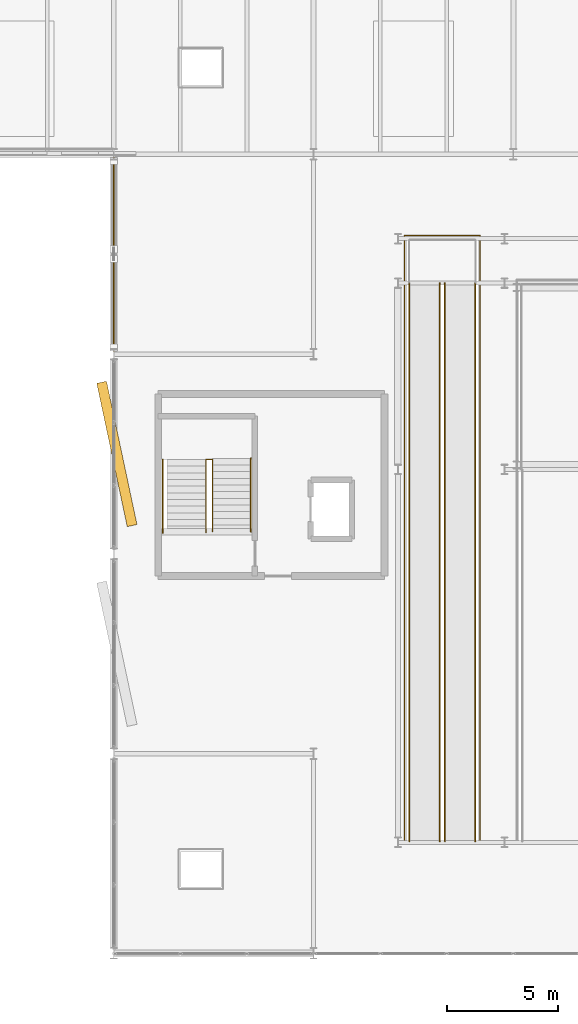
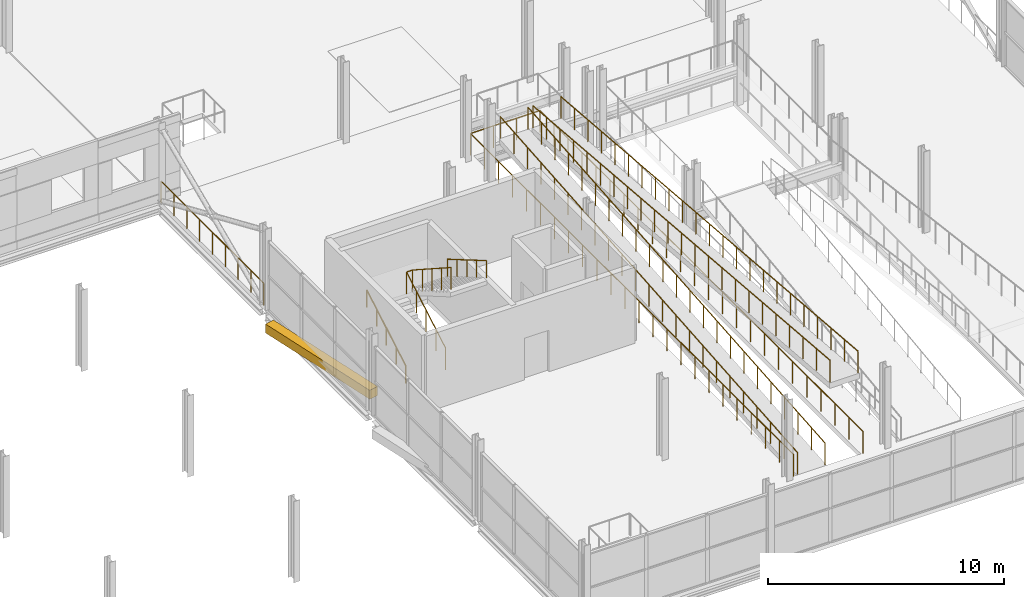
# One storey, part 124 of 132: 9 railings, 1 shading device.
"""IFC4 building model written with IfcOpenShell, lengths in metres."""

from ifc_helpers import new_model, si_unit, direction, frame, origin, origin_2d, place, context, subcontext, project, spatial, rectangle, circle, extrude, material, layer, layer_set, type_object, element, save


model = new_model("IFC4")

# Units and contexts
model_context = context("Model", 3, precision=1e-05, world=origin(), true_north=direction((0.0, 1.0)))
body_context = subcontext(model_context, "Body", "Model", "MODEL_VIEW")
ifc_project = project(units=[si_unit("LENGTHUNIT", "METRE"), si_unit("AREAUNIT", "SQUARE_METRE"), si_unit("VOLUMEUNIT", "CUBIC_METRE"), si_unit("PLANEANGLEUNIT", "RADIAN"), si_unit("MASSUNIT", "GRAM", prefix="KILO")], contexts=[model_context])

# Site, building, storey
site_placement = place(None, origin())
site = spatial("IfcSite", under=ifc_project, at=site_placement, CompositionType="ELEMENT")
building_placement = place(site_placement, origin())
building = spatial("IfcBuilding", under=site, at=building_placement, Name="Deido Ridge Mobility Hub", CompositionType="ELEMENT")
storey_placement = place(building_placement, frame((0.0, 0.0, 8.39990234375)))
storey = spatial("IfcBuildingStorey", under=building, at=storey_placement, Name="L02", CompositionType="ELEMENT", Elevation=8.39990234375)

# Railings
ifc_material_1 = material(Name="Galvanised steel work", Category="steel")
railing_type_1 = type_object("IfcRailingType", Name="RL-GRD-EXT-1150", PredefinedType="GUARDRAIL", material=ifc_material_1)
railing_1_placement = place(storey_placement, frame((72.0, 72.14990234375, 0.0)))
element("IfcRailing", 1, at=railing_1_placement, inside=storey, type_object=railing_type_1, Name="Braced bay perimeter guard (L02)", PredefinedType="GUARDRAIL", context=body_context, shape_type="SweptSolid", body=[
    extrude(circle(Radius=0.02392578125, at=origin_2d()), frame((0.0, 0.0, 1.1259765625), z_axis=(0.0, 1.0, 0.0), x_axis=(-1.0, 0.0, 0.0)), (0.0, 0.0, 1.0), 8.7001953125),
    extrude(circle(Radius=0.02099609375, at=origin_2d()), origin(), (0.0, 0.0, 1.0), 1.101806640625),
    extrude(circle(Radius=0.02099609375, at=origin_2d()), frame((0.0, 1.08740234375, 0.0)), (0.0, 0.0, 1.0), 1.101806640625),
    extrude(circle(Radius=0.02099609375, at=origin_2d()), frame((0.0, 2.175048828125, 0.0)), (0.0, 0.0, 1.0), 1.101806640625),
    extrude(circle(Radius=0.02099609375, at=origin_2d()), frame((0.0, 3.2626953125, 0.0)), (0.0, 0.0, 1.0), 1.101806640625),
    extrude(circle(Radius=0.02099609375, at=origin_2d()), frame((0.0, 4.35009765625, 0.0)), (0.0, 0.0, 1.0), 1.101806640625),
    extrude(circle(Radius=0.02099609375, at=origin_2d()), frame((0.0, 5.4375, 0.0)), (0.0, 0.0, 1.0), 1.101806640625),
    extrude(circle(Radius=0.02099609375, at=origin_2d()), frame((0.0, 6.525146484375, 0.0)), (0.0, 0.0, 1.0), 1.101806640625),
    extrude(circle(Radius=0.02099609375, at=origin_2d()), frame((0.0, 7.61279296875, 0.0)), (0.0, 0.0, 1.0), 1.101806640625),
    extrude(circle(Radius=0.02099609375, at=origin_2d()), frame((0.0, 8.7001953125, 0.0)), (0.0, 0.0, 1.0), 1.101806640625),
])
railing_2_placement = place(storey_placement, frame((85.10009765625, 50.0, 0.0)))
element("IfcRailing", 2, at=railing_2_placement, inside=storey, type_object=railing_type_1, Name="Cycle ramp well guard (L02)", PredefinedType="GUARDRAIL", context=body_context, shape_type="SweptSolid", body=[
    extrude(circle(Radius=0.02392578125, at=origin_2d()), frame((0.0, 0.0, 1.1259765625), z_axis=(0.0, 1.0, 0.0), x_axis=(-1.0, 0.0, 0.0)), (0.0, 0.0, 1.0), 27.35009765625),
    extrude(circle(Radius=0.02392578125, at=origin_2d()), frame((0.0, 27.35009765625, 1.1259765625), z_axis=(1.0, 0.0, 0.0), x_axis=(0.0, 1.0, 0.0)), (0.0, 0.0, 1.0), 3.39990234375),
    extrude(circle(Radius=0.02392578125, at=origin_2d()), frame((3.39990234375, 27.35009765625, 1.1259765625), z_axis=(0.0, -1.0, 0.0), x_axis=(1.0, 0.0, 0.0)), (0.0, 0.0, 1.0), 27.35009765625),
    extrude(circle(Radius=0.02099609375, at=origin_2d()), origin(), (0.0, 0.0, 1.0), 1.101806640625),
    extrude(circle(Radius=0.02099609375, at=origin_2d()), frame((0.0, 1.189208984375, 0.0)), (0.0, 0.0, 1.0), 1.101806640625),
    extrude(circle(Radius=0.02099609375, at=origin_2d()), frame((0.0, 2.378173828125, 0.0)), (0.0, 0.0, 1.0), 1.101806640625),
    extrude(circle(Radius=0.02099609375, at=origin_2d()), frame((0.0, 3.5673828125, 0.0)), (0.0, 0.0, 1.0), 1.101806640625),
    extrude(circle(Radius=0.02099609375, at=origin_2d()), frame((0.0, 4.756591796875, 0.0)), (0.0, 0.0, 1.0), 1.101806640625),
    extrude(circle(Radius=0.02099609375, at=origin_2d()), frame((0.0, 5.945556640625, 0.0)), (0.0, 0.0, 1.0), 1.101806640625),
    extrude(circle(Radius=0.02099609375, at=origin_2d()), frame((0.0, 7.134765625, 0.0)), (0.0, 0.0, 1.0), 1.101806640625),
    extrude(circle(Radius=0.02099609375, at=origin_2d()), frame((0.0, 8.323974609375, 0.0)), (0.0, 0.0, 1.0), 1.101806640625),
    extrude(circle(Radius=0.02099609375, at=origin_2d()), frame((0.0, 9.51318359375, 0.0)), (0.0, 0.0, 1.0), 1.101806640625),
    extrude(circle(Radius=0.02099609375, at=origin_2d()), frame((0.0, 10.7021484375, 0.0)), (0.0, 0.0, 1.0), 1.101806640625),
    extrude(circle(Radius=0.02099609375, at=origin_2d()), frame((0.0, 11.891357421875, 0.0)), (0.0, 0.0, 1.0), 1.101806640625),
    extrude(circle(Radius=0.02099609375, at=origin_2d()), frame((0.0, 13.08056640625, 0.0)), (0.0, 0.0, 1.0), 1.101806640625),
    extrude(circle(Radius=0.02099609375, at=origin_2d()), frame((0.0, 14.26953125, 0.0)), (0.0, 0.0, 1.0), 1.101806640625),
    extrude(circle(Radius=0.02099609375, at=origin_2d()), frame((0.0, 15.458740234375, 0.0)), (0.0, 0.0, 1.0), 1.101806640625),
    extrude(circle(Radius=0.02099609375, at=origin_2d()), frame((0.0, 16.64794921875, 0.0)), (0.0, 0.0, 1.0), 1.101806640625),
    extrude(circle(Radius=0.02099609375, at=origin_2d()), frame((0.0, 17.8369140625, 0.0)), (0.0, 0.0, 1.0), 1.101806640625),
    extrude(circle(Radius=0.02099609375, at=origin_2d()), frame((0.0, 19.026123046875, 0.0)), (0.0, 0.0, 1.0), 1.101806640625),
    extrude(circle(Radius=0.02099609375, at=origin_2d()), frame((0.0, 20.21533203125, 0.0)), (0.0, 0.0, 1.0), 1.101806640625),
    extrude(circle(Radius=0.02099609375, at=origin_2d()), frame((0.0, 21.404541015625, 0.0)), (0.0, 0.0, 1.0), 1.101806640625),
    extrude(circle(Radius=0.02099609375, at=origin_2d()), frame((0.0, 22.593505859375, 0.0)), (0.0, 0.0, 1.0), 1.101806640625),
    extrude(circle(Radius=0.02099609375, at=origin_2d()), frame((0.0, 23.78271484375, 0.0)), (0.0, 0.0, 1.0), 1.101806640625),
    extrude(circle(Radius=0.02099609375, at=origin_2d()), frame((0.0, 24.971923828125, 0.0)), (0.0, 0.0, 1.0), 1.101806640625),
    extrude(circle(Radius=0.02099609375, at=origin_2d()), frame((0.0, 26.160888671875, 0.0)), (0.0, 0.0, 1.0), 1.101806640625),
    extrude(circle(Radius=0.02099609375, at=origin_2d()), frame((0.0, 27.35009765625, 0.0)), (0.0, 0.0, 1.0), 1.101806640625),
    extrude(circle(Radius=0.02099609375, at=origin_2d()), frame((1.13330078125, 27.35009765625, 0.0)), (0.0, 0.0, 1.0), 1.101806640625),
    extrude(circle(Radius=0.02099609375, at=origin_2d()), frame((2.2666015625, 27.35009765625, 0.0)), (0.0, 0.0, 1.0), 1.101806640625),
    extrude(circle(Radius=0.02099609375, at=origin_2d()), frame((3.39990234375, 27.35009765625, 0.0)), (0.0, 0.0, 1.0), 1.101806640625),
    extrude(circle(Radius=0.02099609375, at=origin_2d()), frame((3.39990234375, 26.160888671875, 0.0)), (0.0, 0.0, 1.0), 1.101806640625),
    extrude(circle(Radius=0.02099609375, at=origin_2d()), frame((3.39990234375, 24.971923828125, 0.0)), (0.0, 0.0, 1.0), 1.101806640625),
    extrude(circle(Radius=0.02099609375, at=origin_2d()), frame((3.39990234375, 23.78271484375, 0.0)), (0.0, 0.0, 1.0), 1.101806640625),
    extrude(circle(Radius=0.02099609375, at=origin_2d()), frame((3.39990234375, 22.593505859375, 0.0)), (0.0, 0.0, 1.0), 1.101806640625),
    extrude(circle(Radius=0.02099609375, at=origin_2d()), frame((3.39990234375, 21.404541015625, 0.0)), (0.0, 0.0, 1.0), 1.101806640625),
    extrude(circle(Radius=0.02099609375, at=origin_2d()), frame((3.39990234375, 20.21533203125, 0.0)), (0.0, 0.0, 1.0), 1.101806640625),
    extrude(circle(Radius=0.02099609375, at=origin_2d()), frame((3.39990234375, 19.026123046875, 0.0)), (0.0, 0.0, 1.0), 1.101806640625),
    extrude(circle(Radius=0.02099609375, at=origin_2d()), frame((3.39990234375, 17.8369140625, 0.0)), (0.0, 0.0, 1.0), 1.101806640625),
    extrude(circle(Radius=0.02099609375, at=origin_2d()), frame((3.39990234375, 16.64794921875, 0.0)), (0.0, 0.0, 1.0), 1.101806640625),
    extrude(circle(Radius=0.02099609375, at=origin_2d()), frame((3.39990234375, 15.458740234375, 0.0)), (0.0, 0.0, 1.0), 1.101806640625),
    extrude(circle(Radius=0.02099609375, at=origin_2d()), frame((3.39990234375, 14.26953125, 0.0)), (0.0, 0.0, 1.0), 1.101806640625),
    extrude(circle(Radius=0.02099609375, at=origin_2d()), frame((3.39990234375, 13.08056640625, 0.0)), (0.0, 0.0, 1.0), 1.101806640625),
    extrude(circle(Radius=0.02099609375, at=origin_2d()), frame((3.39990234375, 11.891357421875, 0.0)), (0.0, 0.0, 1.0), 1.101806640625),
    extrude(circle(Radius=0.02099609375, at=origin_2d()), frame((3.39990234375, 10.7021484375, 0.0)), (0.0, 0.0, 1.0), 1.101806640625),
    extrude(circle(Radius=0.02099609375, at=origin_2d()), frame((3.39990234375, 9.51318359375, 0.0)), (0.0, 0.0, 1.0), 1.101806640625),
    extrude(circle(Radius=0.02099609375, at=origin_2d()), frame((3.39990234375, 8.323974609375, 0.0)), (0.0, 0.0, 1.0), 1.101806640625),
    extrude(circle(Radius=0.02099609375, at=origin_2d()), frame((3.39990234375, 7.134765625, 0.0)), (0.0, 0.0, 1.0), 1.101806640625),
    extrude(circle(Radius=0.02099609375, at=origin_2d()), frame((3.39990234375, 5.945556640625, 0.0)), (0.0, 0.0, 1.0), 1.101806640625),
    extrude(circle(Radius=0.02099609375, at=origin_2d()), frame((3.39990234375, 4.756591796875, 0.0)), (0.0, 0.0, 1.0), 1.101806640625),
    extrude(circle(Radius=0.02099609375, at=origin_2d()), frame((3.39990234375, 3.5673828125, 0.0)), (0.0, 0.0, 1.0), 1.101806640625),
    extrude(circle(Radius=0.02099609375, at=origin_2d()), frame((3.39990234375, 2.378173828125, 0.0)), (0.0, 0.0, 1.0), 1.101806640625),
    extrude(circle(Radius=0.02099609375, at=origin_2d()), frame((3.39990234375, 1.189208984375, 0.0)), (0.0, 0.0, 1.0), 1.101806640625),
    extrude(circle(Radius=0.02099609375, at=origin_2d()), frame((3.39990234375, 0.0, 0.0)), (0.0, 0.0, 1.0), 1.101806640625),
])
railing_3_placement = place(storey_placement, frame((85.320068359375, 50.050048828125, 0.0)))
element("IfcRailing", 3, at=railing_3_placement, inside=storey, type_object=railing_type_1, Name="Cycle ramp F1 guard (L02)", PredefinedType="GUARDRAIL", context=body_context, shape_type="SweptSolid", body=[
    extrude(circle(Radius=0.02392578125, at=origin_2d()), frame((0.0, 0.0, 1.1259765625), z_axis=(0.0, 0.996531733804, 0.083213601784), x_axis=(-1.0, 0.0, 0.0)), (0.0, 0.0, 1.0), 25.237548828125),
    extrude(circle(Radius=0.02099609375, at=origin_2d()), origin(), (0.0, 0.0, 1.0), 1.101806640625),
    extrude(circle(Radius=0.02099609375, at=origin_2d()), frame((0.0, 1.14306640625, 0.095458984375)), (0.0, 0.0, 1.0), 1.101806640625),
    extrude(circle(Radius=0.02099609375, at=origin_2d()), frame((0.0, 2.286376953125, 0.19091796875)), (0.0, 0.0, 1.0), 1.101806640625),
    extrude(circle(Radius=0.02099609375, at=origin_2d()), frame((0.0, 3.429443359375, 0.286376953125)), (0.0, 0.0, 1.0), 1.101806640625),
    extrude(circle(Radius=0.02099609375, at=origin_2d()), frame((0.0, 4.57275390625, 0.3818359375)), (0.0, 0.0, 1.0), 1.101806640625),
    extrude(circle(Radius=0.02099609375, at=origin_2d()), frame((0.0, 5.7158203125, 0.477294921875)), (0.0, 0.0, 1.0), 1.101806640625),
    extrude(circle(Radius=0.02099609375, at=origin_2d()), frame((0.0, 6.859130859375, 0.57275390625)), (0.0, 0.0, 1.0), 1.101806640625),
    extrude(circle(Radius=0.02099609375, at=origin_2d()), frame((0.0, 8.002197265625, 0.668212890625)), (0.0, 0.0, 1.0), 1.101806640625),
    extrude(circle(Radius=0.02099609375, at=origin_2d()), frame((0.0, 9.1455078125, 0.763671875)), (0.0, 0.0, 1.0), 1.101806640625),
    extrude(circle(Radius=0.02099609375, at=origin_2d()), frame((0.0, 10.28857421875, 0.859130859375)), (0.0, 0.0, 1.0), 1.101806640625),
    extrude(circle(Radius=0.02099609375, at=origin_2d()), frame((0.0, 11.431884765625, 0.95458984375)), (0.0, 0.0, 1.0), 1.101806640625),
    extrude(circle(Radius=0.02099609375, at=origin_2d()), frame((0.0, 12.574951171875, 1.050048828125)), (0.0, 0.0, 1.0), 1.101806640625),
    extrude(circle(Radius=0.02099609375, at=origin_2d()), frame((0.0, 13.718017578125, 1.1455078125)), (0.0, 0.0, 1.0), 1.101806640625),
    extrude(circle(Radius=0.02099609375, at=origin_2d()), frame((0.0, 14.861328125, 1.240966796875)), (0.0, 0.0, 1.0), 1.101806640625),
    extrude(circle(Radius=0.02099609375, at=origin_2d()), frame((0.0, 16.00439453125, 1.33642578125)), (0.0, 0.0, 1.0), 1.101806640625),
    extrude(circle(Radius=0.02099609375, at=origin_2d()), frame((0.0, 17.147705078125, 1.431884765625)), (0.0, 0.0, 1.0), 1.101806640625),
    extrude(circle(Radius=0.02099609375, at=origin_2d()), frame((0.0, 18.290771484375, 1.52734375)), (0.0, 0.0, 1.0), 1.101806640625),
    extrude(circle(Radius=0.02099609375, at=origin_2d()), frame((0.0, 19.43408203125, 1.622802734375)), (0.0, 0.0, 1.0), 1.101806640625),
    extrude(circle(Radius=0.02099609375, at=origin_2d()), frame((0.0, 20.5771484375, 1.71826171875)), (0.0, 0.0, 1.0), 1.101806640625),
    extrude(circle(Radius=0.02099609375, at=origin_2d()), frame((0.0, 21.720458984375, 1.813720703125)), (0.0, 0.0, 1.0), 1.101806640625),
    extrude(circle(Radius=0.02099609375, at=origin_2d()), frame((0.0, 22.863525390625, 1.9091796875)), (0.0, 0.0, 1.0), 1.101806640625),
    extrude(circle(Radius=0.02099609375, at=origin_2d()), frame((0.0, 24.0068359375, 2.004638671875)), (0.0, 0.0, 1.0), 1.101806640625),
    extrude(circle(Radius=0.02099609375, at=origin_2d()), frame((0.0, 25.14990234375, 2.10009765625)), (0.0, 0.0, 1.0), 1.101806640625),
])
railing_4_placement = place(storey_placement, frame((86.679931640625, 50.050048828125, 0.0)))
element("IfcRailing", 4, at=railing_4_placement, inside=storey, type_object=railing_type_1, Name="Cycle ramp F1 guard (L02)", PredefinedType="GUARDRAIL", context=body_context, shape_type="SweptSolid", body=[
    extrude(circle(Radius=0.02392578125, at=origin_2d()), frame((0.0, 0.0, 1.1259765625), z_axis=(0.0, 0.996531733804, 0.083213601784), x_axis=(-1.0, 0.0, 0.0)), (0.0, 0.0, 1.0), 25.237548828125),
    extrude(circle(Radius=0.02099609375, at=origin_2d()), origin(), (0.0, 0.0, 1.0), 1.101806640625),
    extrude(circle(Radius=0.02099609375, at=origin_2d()), frame((0.0, 1.14306640625, 0.095458984375)), (0.0, 0.0, 1.0), 1.101806640625),
    extrude(circle(Radius=0.02099609375, at=origin_2d()), frame((0.0, 2.286376953125, 0.19091796875)), (0.0, 0.0, 1.0), 1.101806640625),
    extrude(circle(Radius=0.02099609375, at=origin_2d()), frame((0.0, 3.429443359375, 0.286376953125)), (0.0, 0.0, 1.0), 1.101806640625),
    extrude(circle(Radius=0.02099609375, at=origin_2d()), frame((0.0, 4.57275390625, 0.3818359375)), (0.0, 0.0, 1.0), 1.101806640625),
    extrude(circle(Radius=0.02099609375, at=origin_2d()), frame((0.0, 5.7158203125, 0.477294921875)), (0.0, 0.0, 1.0), 1.101806640625),
    extrude(circle(Radius=0.02099609375, at=origin_2d()), frame((0.0, 6.859130859375, 0.57275390625)), (0.0, 0.0, 1.0), 1.101806640625),
    extrude(circle(Radius=0.02099609375, at=origin_2d()), frame((0.0, 8.002197265625, 0.668212890625)), (0.0, 0.0, 1.0), 1.101806640625),
    extrude(circle(Radius=0.02099609375, at=origin_2d()), frame((0.0, 9.1455078125, 0.763671875)), (0.0, 0.0, 1.0), 1.101806640625),
    extrude(circle(Radius=0.02099609375, at=origin_2d()), frame((0.0, 10.28857421875, 0.859130859375)), (0.0, 0.0, 1.0), 1.101806640625),
    extrude(circle(Radius=0.02099609375, at=origin_2d()), frame((0.0, 11.431884765625, 0.95458984375)), (0.0, 0.0, 1.0), 1.101806640625),
    extrude(circle(Radius=0.02099609375, at=origin_2d()), frame((0.0, 12.574951171875, 1.050048828125)), (0.0, 0.0, 1.0), 1.101806640625),
    extrude(circle(Radius=0.02099609375, at=origin_2d()), frame((0.0, 13.718017578125, 1.1455078125)), (0.0, 0.0, 1.0), 1.101806640625),
    extrude(circle(Radius=0.02099609375, at=origin_2d()), frame((0.0, 14.861328125, 1.240966796875)), (0.0, 0.0, 1.0), 1.101806640625),
    extrude(circle(Radius=0.02099609375, at=origin_2d()), frame((0.0, 16.00439453125, 1.33642578125)), (0.0, 0.0, 1.0), 1.101806640625),
    extrude(circle(Radius=0.02099609375, at=origin_2d()), frame((0.0, 17.147705078125, 1.431884765625)), (0.0, 0.0, 1.0), 1.101806640625),
    extrude(circle(Radius=0.02099609375, at=origin_2d()), frame((0.0, 18.290771484375, 1.52734375)), (0.0, 0.0, 1.0), 1.101806640625),
    extrude(circle(Radius=0.02099609375, at=origin_2d()), frame((0.0, 19.43408203125, 1.622802734375)), (0.0, 0.0, 1.0), 1.101806640625),
    extrude(circle(Radius=0.02099609375, at=origin_2d()), frame((0.0, 20.5771484375, 1.71826171875)), (0.0, 0.0, 1.0), 1.101806640625),
    extrude(circle(Radius=0.02099609375, at=origin_2d()), frame((0.0, 21.720458984375, 1.813720703125)), (0.0, 0.0, 1.0), 1.101806640625),
    extrude(circle(Radius=0.02099609375, at=origin_2d()), frame((0.0, 22.863525390625, 1.9091796875)), (0.0, 0.0, 1.0), 1.101806640625),
    extrude(circle(Radius=0.02099609375, at=origin_2d()), frame((0.0, 24.0068359375, 2.004638671875)), (0.0, 0.0, 1.0), 1.101806640625),
    extrude(circle(Radius=0.02099609375, at=origin_2d()), frame((0.0, 25.14990234375, 2.10009765625)), (0.0, 0.0, 1.0), 1.101806640625),
])
railing_5_placement = place(storey_placement, frame((86.919921875, 75.199951171875, 2.10009765625)))
element("IfcRailing", 5, at=railing_5_placement, inside=storey, type_object=railing_type_1, Name="Cycle ramp F2 guard (L02)", PredefinedType="GUARDRAIL", context=body_context, shape_type="SweptSolid", body=[
    extrude(circle(Radius=0.02392578125, at=origin_2d()), frame((0.0, 0.0, 1.1259765625), z_axis=(0.0, -0.996531733804, 0.083213601784), x_axis=(1.0, 0.0, 0.0)), (0.0, 0.0, 1.0), 25.237548828125),
    extrude(circle(Radius=0.02099609375, at=origin_2d()), origin(), (0.0, 0.0, 1.0), 1.101806640625),
    extrude(circle(Radius=0.02099609375, at=origin_2d()), frame((0.0, -1.14306640625, 0.095458984375)), (0.0, 0.0, 1.0), 1.101806640625),
    extrude(circle(Radius=0.02099609375, at=origin_2d()), frame((0.0, -2.286376953125, 0.19091796875)), (0.0, 0.0, 1.0), 1.101806640625),
    extrude(circle(Radius=0.02099609375, at=origin_2d()), frame((0.0, -3.429443359375, 0.286376953125)), (0.0, 0.0, 1.0), 1.101806640625),
    extrude(circle(Radius=0.02099609375, at=origin_2d()), frame((0.0, -4.57275390625, 0.3818359375)), (0.0, 0.0, 1.0), 1.101806640625),
    extrude(circle(Radius=0.02099609375, at=origin_2d()), frame((0.0, -5.7158203125, 0.477294921875)), (0.0, 0.0, 1.0), 1.101806640625),
    extrude(circle(Radius=0.02099609375, at=origin_2d()), frame((0.0, -6.859130859375, 0.57275390625)), (0.0, 0.0, 1.0), 1.101806640625),
    extrude(circle(Radius=0.02099609375, at=origin_2d()), frame((0.0, -8.002197265625, 0.668212890625)), (0.0, 0.0, 1.0), 1.101806640625),
    extrude(circle(Radius=0.02099609375, at=origin_2d()), frame((0.0, -9.1455078125, 0.763671875)), (0.0, 0.0, 1.0), 1.101806640625),
    extrude(circle(Radius=0.02099609375, at=origin_2d()), frame((0.0, -10.28857421875, 0.859130859375)), (0.0, 0.0, 1.0), 1.101806640625),
    extrude(circle(Radius=0.02099609375, at=origin_2d()), frame((0.0, -11.431884765625, 0.95458984375)), (0.0, 0.0, 1.0), 1.101806640625),
    extrude(circle(Radius=0.02099609375, at=origin_2d()), frame((0.0, -12.574951171875, 1.050048828125)), (0.0, 0.0, 1.0), 1.101806640625),
    extrude(circle(Radius=0.02099609375, at=origin_2d()), frame((0.0, -13.718017578125, 1.1455078125)), (0.0, 0.0, 1.0), 1.101806640625),
    extrude(circle(Radius=0.02099609375, at=origin_2d()), frame((0.0, -14.861328125, 1.240966796875)), (0.0, 0.0, 1.0), 1.101806640625),
    extrude(circle(Radius=0.02099609375, at=origin_2d()), frame((0.0, -16.00439453125, 1.33642578125)), (0.0, 0.0, 1.0), 1.101806640625),
    extrude(circle(Radius=0.02099609375, at=origin_2d()), frame((0.0, -17.147705078125, 1.431884765625)), (0.0, 0.0, 1.0), 1.101806640625),
    extrude(circle(Radius=0.02099609375, at=origin_2d()), frame((0.0, -18.290771484375, 1.52734375)), (0.0, 0.0, 1.0), 1.101806640625),
    extrude(circle(Radius=0.02099609375, at=origin_2d()), frame((0.0, -19.43408203125, 1.622802734375)), (0.0, 0.0, 1.0), 1.101806640625),
    extrude(circle(Radius=0.02099609375, at=origin_2d()), frame((0.0, -20.5771484375, 1.71826171875)), (0.0, 0.0, 1.0), 1.101806640625),
    extrude(circle(Radius=0.02099609375, at=origin_2d()), frame((0.0, -21.720458984375, 1.813720703125)), (0.0, 0.0, 1.0), 1.101806640625),
    extrude(circle(Radius=0.02099609375, at=origin_2d()), frame((0.0, -22.863525390625, 1.9091796875)), (0.0, 0.0, 1.0), 1.101806640625),
    extrude(circle(Radius=0.02099609375, at=origin_2d()), frame((0.0, -24.0068359375, 2.004638671875)), (0.0, 0.0, 1.0), 1.101806640625),
    extrude(circle(Radius=0.02099609375, at=origin_2d()), frame((0.0, -25.14990234375, 2.10009765625)), (0.0, 0.0, 1.0), 1.101806640625),
])
railing_6_placement = place(storey_placement, frame((88.280029296875, 75.199951171875, 2.10009765625)))
element("IfcRailing", 6, at=railing_6_placement, inside=storey, type_object=railing_type_1, Name="Cycle ramp F2 guard (L02)", PredefinedType="GUARDRAIL", context=body_context, shape_type="SweptSolid", body=[
    extrude(circle(Radius=0.02392578125, at=origin_2d()), frame((0.0, 0.0, 1.1259765625), z_axis=(0.0, -0.996531733804, 0.083213601784), x_axis=(1.0, 0.0, 0.0)), (0.0, 0.0, 1.0), 25.237548828125),
    extrude(circle(Radius=0.02099609375, at=origin_2d()), origin(), (0.0, 0.0, 1.0), 1.101806640625),
    extrude(circle(Radius=0.02099609375, at=origin_2d()), frame((0.0, -1.14306640625, 0.095458984375)), (0.0, 0.0, 1.0), 1.101806640625),
    extrude(circle(Radius=0.02099609375, at=origin_2d()), frame((0.0, -2.286376953125, 0.19091796875)), (0.0, 0.0, 1.0), 1.101806640625),
    extrude(circle(Radius=0.02099609375, at=origin_2d()), frame((0.0, -3.429443359375, 0.286376953125)), (0.0, 0.0, 1.0), 1.101806640625),
    extrude(circle(Radius=0.02099609375, at=origin_2d()), frame((0.0, -4.57275390625, 0.3818359375)), (0.0, 0.0, 1.0), 1.101806640625),
    extrude(circle(Radius=0.02099609375, at=origin_2d()), frame((0.0, -5.7158203125, 0.477294921875)), (0.0, 0.0, 1.0), 1.101806640625),
    extrude(circle(Radius=0.02099609375, at=origin_2d()), frame((0.0, -6.859130859375, 0.57275390625)), (0.0, 0.0, 1.0), 1.101806640625),
    extrude(circle(Radius=0.02099609375, at=origin_2d()), frame((0.0, -8.002197265625, 0.668212890625)), (0.0, 0.0, 1.0), 1.101806640625),
    extrude(circle(Radius=0.02099609375, at=origin_2d()), frame((0.0, -9.1455078125, 0.763671875)), (0.0, 0.0, 1.0), 1.101806640625),
    extrude(circle(Radius=0.02099609375, at=origin_2d()), frame((0.0, -10.28857421875, 0.859130859375)), (0.0, 0.0, 1.0), 1.101806640625),
    extrude(circle(Radius=0.02099609375, at=origin_2d()), frame((0.0, -11.431884765625, 0.95458984375)), (0.0, 0.0, 1.0), 1.101806640625),
    extrude(circle(Radius=0.02099609375, at=origin_2d()), frame((0.0, -12.574951171875, 1.050048828125)), (0.0, 0.0, 1.0), 1.101806640625),
    extrude(circle(Radius=0.02099609375, at=origin_2d()), frame((0.0, -13.718017578125, 1.1455078125)), (0.0, 0.0, 1.0), 1.101806640625),
    extrude(circle(Radius=0.02099609375, at=origin_2d()), frame((0.0, -14.861328125, 1.240966796875)), (0.0, 0.0, 1.0), 1.101806640625),
    extrude(circle(Radius=0.02099609375, at=origin_2d()), frame((0.0, -16.00439453125, 1.33642578125)), (0.0, 0.0, 1.0), 1.101806640625),
    extrude(circle(Radius=0.02099609375, at=origin_2d()), frame((0.0, -17.147705078125, 1.431884765625)), (0.0, 0.0, 1.0), 1.101806640625),
    extrude(circle(Radius=0.02099609375, at=origin_2d()), frame((0.0, -18.290771484375, 1.52734375)), (0.0, 0.0, 1.0), 1.101806640625),
    extrude(circle(Radius=0.02099609375, at=origin_2d()), frame((0.0, -19.43408203125, 1.622802734375)), (0.0, 0.0, 1.0), 1.101806640625),
    extrude(circle(Radius=0.02099609375, at=origin_2d()), frame((0.0, -20.5771484375, 1.71826171875)), (0.0, 0.0, 1.0), 1.101806640625),
    extrude(circle(Radius=0.02099609375, at=origin_2d()), frame((0.0, -21.720458984375, 1.813720703125)), (0.0, 0.0, 1.0), 1.101806640625),
    extrude(circle(Radius=0.02099609375, at=origin_2d()), frame((0.0, -22.863525390625, 1.9091796875)), (0.0, 0.0, 1.0), 1.101806640625),
    extrude(circle(Radius=0.02099609375, at=origin_2d()), frame((0.0, -24.0068359375, 2.004638671875)), (0.0, 0.0, 1.0), 1.101806640625),
    extrude(circle(Radius=0.02099609375, at=origin_2d()), frame((0.0, -25.14990234375, 2.10009765625)), (0.0, 0.0, 1.0), 1.101806640625),
])
railing_type_2 = type_object("IfcRailingType", Name="RL-STAIR-GRD-1150", PredefinedType="GUARDRAIL", material=ifc_material_1)
railing_7_placement = place(storey_placement, frame((76.14990234375, 63.949951171875, 0.175048828125)))
element("IfcRailing", 7, at=railing_7_placement, inside=storey, type_object=railing_type_2, Name="ST4 inner well guard (L02)", PredefinedType="GUARDRAIL", context=body_context, shape_type="SweptSolid", body=[
    extrude(circle(Radius=0.02392578125, at=origin_2d()), frame((0.0, 0.0, 1.1259765625), z_axis=(0.0, 0.863776583165, 0.503874998761), x_axis=(-1.0, 0.0, 0.0)), (0.0, 0.0, 1.0), 3.820556640625),
    extrude(circle(Radius=0.02392578125, at=origin_2d()), frame((0.0, 3.300048828125, 3.05078125), z_axis=(1.0, 0.0, 0.0), x_axis=(0.0, 1.0, 0.0)), (0.0, 0.0, 1.0), 0.300048828125),
    extrude(circle(Radius=0.02392578125, at=origin_2d()), frame((0.300048828125, 3.300048828125, 3.05078125), z_axis=(0.0, -0.839905164138, 0.542733189748), x_axis=(1.0, 0.0, 0.0)), (0.0, 0.0, 1.0), 3.869384765625),
    extrude(circle(Radius=0.02099609375, at=origin_2d()), origin(), (0.0, 0.0, 1.0), 1.101806640625),
    extrude(circle(Radius=0.02099609375, at=origin_2d()), frame((0.0, 0.824951171875, 0.481201171875)), (0.0, 0.0, 1.0), 1.101806640625),
    extrude(circle(Radius=0.02099609375, at=origin_2d()), frame((0.0, 1.64990234375, 0.96240234375)), (0.0, 0.0, 1.0), 1.101806640625),
    extrude(circle(Radius=0.02099609375, at=origin_2d()), frame((0.0, 2.47509765625, 1.44384765625)), (0.0, 0.0, 1.0), 1.101806640625),
    extrude(circle(Radius=0.02099609375, at=origin_2d()), frame((0.0, 3.300048828125, 1.925048828125)), (0.0, 0.0, 1.0), 1.101806640625),
    extrude(circle(Radius=0.02099609375, at=origin_2d()), frame((0.300048828125, 3.300048828125, 1.925048828125)), (0.0, 0.0, 1.0), 1.101806640625),
    extrude(circle(Radius=0.02099609375, at=origin_2d()), frame((0.300048828125, 2.487548828125, 2.4501953125)), (0.0, 0.0, 1.0), 1.101806640625),
    extrude(circle(Radius=0.02099609375, at=origin_2d()), frame((0.300048828125, 1.675048828125, 2.97509765625)), (0.0, 0.0, 1.0), 1.101806640625),
    extrude(circle(Radius=0.02099609375, at=origin_2d()), frame((0.300048828125, 0.862548828125, 3.5)), (0.0, 0.0, 1.0), 1.101806640625),
    extrude(circle(Radius=0.02099609375, at=origin_2d()), frame((0.300048828125, 0.050048828125, 4.025146484375)), (0.0, 0.0, 1.0), 1.101806640625),
])
ifc_material_2 = material(Name="Stainless steel 316", Category="steel")
railing_type_3 = type_object("IfcRailingType", Name="RL-STAIR-HND-900", PredefinedType="HANDRAIL", material=ifc_material_2)
railing_8_placement = place(storey_placement, frame((74.2099609375, 63.949951171875, 0.175048828125)))
element("IfcRailing", 8, at=railing_8_placement, inside=storey, type_object=railing_type_3, Name="ST4 flight 1 handrail (L02)", PredefinedType="HANDRAIL", context=body_context, shape_type="SweptSolid", body=[
    extrude(circle(Radius=0.02392578125, at=origin_2d()), frame((0.0, 0.0, 0.8759765625), z_axis=(0.0, 0.863776583165, 0.503874998761), x_axis=(-1.0, 0.0, 0.0)), (0.0, 0.0, 1.0), 3.820556640625),
    extrude(circle(Radius=0.02099609375, at=origin_2d()), origin(), (0.0, 0.0, 1.0), 0.851806640625),
    extrude(circle(Radius=0.02099609375, at=origin_2d()), frame((0.0, 0.824951171875, 0.481201171875)), (0.0, 0.0, 1.0), 0.851806640625),
    extrude(circle(Radius=0.02099609375, at=origin_2d()), frame((0.0, 1.64990234375, 0.96240234375)), (0.0, 0.0, 1.0), 0.851806640625),
    extrude(circle(Radius=0.02099609375, at=origin_2d()), frame((0.0, 2.47509765625, 1.44384765625)), (0.0, 0.0, 1.0), 0.851806640625),
    extrude(circle(Radius=0.02099609375, at=origin_2d()), frame((0.0, 3.300048828125, 1.925048828125)), (0.0, 0.0, 1.0), 0.851806640625),
])
railing_9_placement = place(storey_placement, frame((78.175048828125, 67.300048828125, 2.275146484375)))
element("IfcRailing", 9, at=railing_9_placement, inside=storey, type_object=railing_type_3, Name="ST4 flight 2 handrail (L02)", PredefinedType="HANDRAIL", context=body_context, shape_type="SweptSolid", body=[
    extrude(circle(Radius=0.02392578125, at=origin_2d()), frame((0.0, 0.0, 0.8759765625), z_axis=(0.0, -0.863776583165, 0.503874998761), x_axis=(1.0, 0.0, 0.0)), (0.0, 0.0, 1.0), 3.820556640625),
    extrude(circle(Radius=0.02099609375, at=origin_2d()), origin(), (0.0, 0.0, 1.0), 0.851806640625),
    extrude(circle(Radius=0.02099609375, at=origin_2d()), frame((0.0, -0.824951171875, 0.481201171875)), (0.0, 0.0, 1.0), 0.851806640625),
    extrude(circle(Radius=0.02099609375, at=origin_2d()), frame((0.0, -1.64990234375, 0.96240234375)), (0.0, 0.0, 1.0), 0.851806640625),
    extrude(circle(Radius=0.02099609375, at=origin_2d()), frame((0.0, -2.47509765625, 1.44384765625)), (0.0, 0.0, 1.0), 0.851806640625),
    extrude(circle(Radius=0.02099609375, at=origin_2d()), frame((0.0, -3.300048828125, 1.925048828125)), (0.0, 0.0, 1.0), 0.851806640625),
])

# Shading device
ifc_material_3 = material(Name="Anodised aluminium EN AW-6063 T6", Category="aluminium")
ifc_layer = layer(ifc_material_3, 0.4599609375, Name="Anodised aluminium EN AW-6063 T6")
ifc_layer_set = layer_set([ifc_layer], Name="Anodised aluminium EN AW-6063 T6")
shading_device_type = type_object("IfcShadingDeviceType", Name="SHD-LOUVRE-450", PredefinedType="USERDEFINED", material=ifc_layer_set)
shading_device_placement = place(storey_placement, frame((72.139892578125, 67.5, -0.27978515625), z_axis=(0.0, 0.0, 1.0), x_axis=(-0.207911690818, 0.978147600734, 0.0)))
element("IfcShadingDevice", 10, at=shading_device_placement, inside=storey, type_object=shading_device_type, Name="Ramp gallery monsoon louvre SD3", ObjectType="LOUVRE", PredefinedType="USERDEFINED", context=body_context, shape_type="SweptSolid", body=[
    extrude(rectangle(XDim=6.60009765625, YDim=0.449951171875, at=origin_2d()), origin(), (0.0, 0.0, 1.0), 0.4599609375),
])

save(model, "model.ifc")
